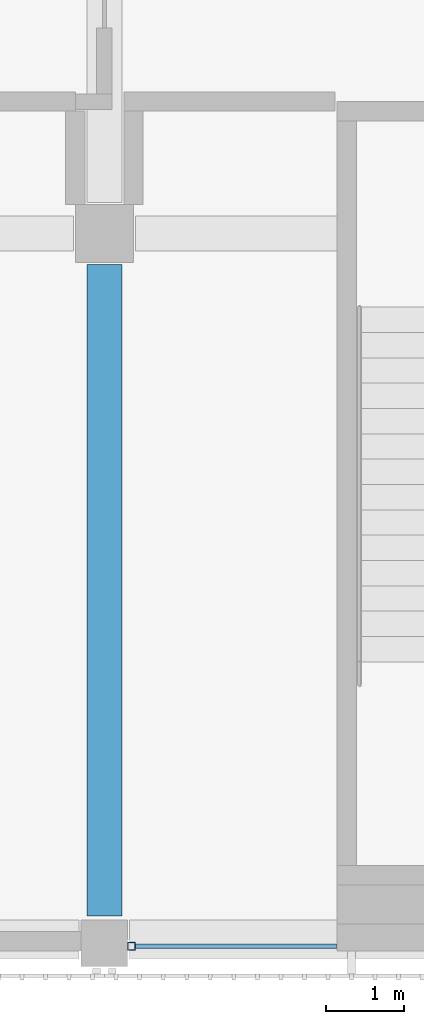
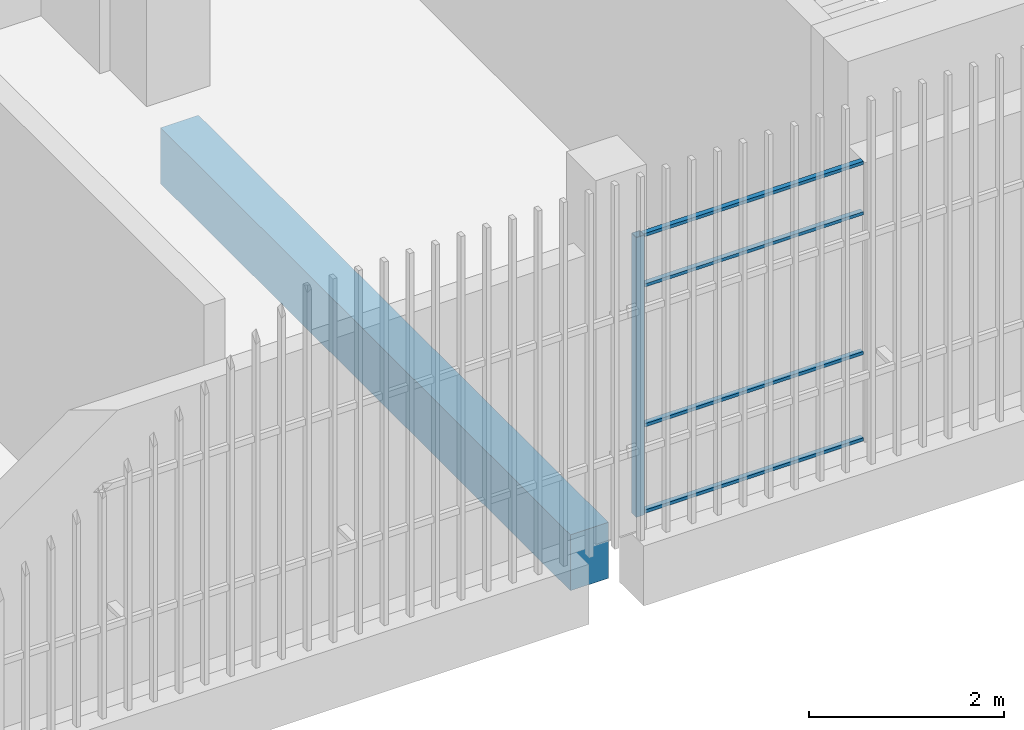
# One storey, part 19 of 104: 5 members, 1 beam, 1 element without a shape of its own.
"""IFC4 building model written with IfcOpenShell, lengths in metres."""

from ifc_helpers import new_model, si_unit, direction, frame, origin, origin_2d, place, context, subcontext, project, spatial, rectangle, hollow_rectangle, extrude, material, layer, layer_set, material_profile, profile_set, type_object, element, aggregate, save


model = new_model("IFC4")

# Units and contexts
model_context = context("Model", 3, precision=1e-05, world=origin(), true_north=direction((0.0, 1.0)))
body_context = subcontext(model_context, "Body", "Model", "MODEL_VIEW")
ifc_project = project(units=[si_unit("LENGTHUNIT", "METRE"), si_unit("AREAUNIT", "SQUARE_METRE"), si_unit("VOLUMEUNIT", "CUBIC_METRE"), si_unit("PLANEANGLEUNIT", "RADIAN"), si_unit("MASSUNIT", "GRAM", prefix="KILO")], contexts=[model_context])

# Site, building, storey
site_placement = place(None, origin())
site = spatial("IfcSite", under=ifc_project, at=site_placement, CompositionType="ELEMENT")
building_placement = place(site_placement, origin())
building = spatial("IfcBuilding", under=site, at=building_placement, Name="Shirokan Park Arena", CompositionType="ELEMENT")
storey_placement = place(building_placement, frame((0.0, 0.0, 10.919921875)))
storey = spatial("IfcBuildingStorey", under=building, at=storey_placement, Name="L02", CompositionType="ELEMENT", Elevation=10.919921875)

# Curtain wall, member
ifc_material_1 = material(Name="Steel and glass curtain wall", Category="steel")
ifc_layer = layer(ifc_material_1, 0.1201171875)
ifc_layer_set = layer_set([ifc_layer], Name="Steel and glass curtain wall 120 mm")
curtain_wall_type = type_object("IfcCurtainWallType", Name="Curtain wall corner block side bay 120", PredefinedType="NOTDEFINED", material=ifc_layer_set)
curtain_wall_placement = place(storey_placement, origin())
curtain_wall = element("IfcCurtainWall", 1, at=curtain_wall_placement, inside=storey, type_object=curtain_wall_type, Name="Curtain wall south bay 13 L02", PredefinedType="NOTDEFINED")
ifc_material_2 = material(Name="Steel S355", Category="steel")
ifc_material_profile_1 = material_profile(ifc_material_2, hollow_rectangle(XDim=0.10009765625, YDim=0.10009765625, WallThickness=0.006103515625, at=origin_2d()), Name="RHS 100x100x6")
ifc_profile_set_1 = profile_set([ifc_material_profile_1], Name="Steel S355")
member_type_1 = type_object("IfcMemberType", Name="Mullion RHS 100x100x6", PredefinedType="MULLION", material=ifc_profile_set_1)
member_1_placement = place(storey_placement, frame((109.550048828125, -0.090087890625, 0.0), z_axis=(0.0, 0.0, 1.0), x_axis=(0.0, 1.0, 0.0)))
member_1 = element("IfcMember", 2, at=member_1_placement, type_object=member_type_1, Name="CW3 mullion 1", PredefinedType="MULLION", context=body_context, shape_type="SweptSolid", body=[
    extrude(hollow_rectangle(XDim=0.10009765625, YDim=0.10009765625, WallThickness=0.006103515625, at=origin_2d()), origin(), (0.0, 0.0, 1.0), 3.5),
])

# Beam
ifc_material_3 = material(Name="Concrete C35", Category="concrete")
ifc_material_profile_2 = material_profile(ifc_material_3, rectangle(XDim=0.449951171875, YDim=0.699951171875, at=origin_2d()), Name="450x700")
ifc_profile_set_2 = profile_set([ifc_material_profile_2], Name="Concrete C35")
beam_type = type_object("IfcBeamType", Name="RC girder 450x700", PredefinedType="BEAM", material=ifc_profile_set_2)
beam_placement = place(storey_placement, frame((109.199951171875, 0.300048828125, -0.64990234375), z_axis=(0.0, 1.0, 0.0), x_axis=(-1.0, 0.0, 0.0)))
element("IfcBeam", 3, at=beam_placement, inside=storey, type_object=beam_type, Name="Girder 13A-13B L02", PredefinedType="BEAM", context=body_context, shape_type="SweptSolid", body=[
    extrude(rectangle(XDim=0.449951171875, YDim=0.699951171875, at=origin_2d()), origin(), (0.0, 0.0, 1.0), 8.39990234375),
])

# Member
ifc_material_profile_3 = material_profile(ifc_material_2, hollow_rectangle(XDim=0.06005859375, YDim=0.0400390625, WallThickness=0.00390625, at=origin_2d()), Name="RHS 60x40x4")
ifc_profile_set_3 = profile_set([ifc_material_profile_3], Name="Steel S355")
member_type_2 = type_object("IfcMemberType", Name="Transom RHS 60x40x4", PredefinedType="MULLION", material=ifc_profile_set_3)
member_2_placement = place(storey_placement, frame((109.60009765625, -0.090087890625, 0.02001953125), z_axis=(1.0, 0.0, 0.0), x_axis=(0.0, 1.0, 0.0)))
member_2 = element("IfcMember", 4, at=member_2_placement, type_object=member_type_2, Name="CW3 transom 1.1", PredefinedType="MULLION", context=body_context, shape_type="SweptSolid", body=[
    extrude(hollow_rectangle(XDim=0.06005859375, YDim=0.0400390625, WallThickness=0.00390625, at=origin_2d()), origin(), (0.0, 0.0, 1.0), 2.599853515625),
])

member_3_placement = place(storey_placement, frame((109.60009765625, -0.090087890625, 1.10009765625), z_axis=(1.0, 0.0, 0.0), x_axis=(0.0, 1.0, 0.0)))
member_3 = element("IfcMember", 5, at=member_3_placement, type_object=member_type_2, Name="CW3 transom 1.2", PredefinedType="MULLION", context=body_context, shape_type="SweptSolid", body=[
    extrude(hollow_rectangle(XDim=0.06005859375, YDim=0.0400390625, WallThickness=0.00390625, at=origin_2d()), origin(), (0.0, 0.0, 1.0), 2.599853515625),
])

member_4_placement = place(storey_placement, frame((109.60009765625, -0.090087890625, 2.85009765625), z_axis=(1.0, 0.0, 0.0), x_axis=(0.0, 1.0, 0.0)))
member_4 = element("IfcMember", 6, at=member_4_placement, type_object=member_type_2, Name="CW3 transom 1.3", PredefinedType="MULLION", context=body_context, shape_type="SweptSolid", body=[
    extrude(hollow_rectangle(XDim=0.06005859375, YDim=0.0400390625, WallThickness=0.00390625, at=origin_2d()), origin(), (0.0, 0.0, 1.0), 2.599853515625),
])

member_5_placement = place(storey_placement, frame((109.60009765625, -0.090087890625, 3.47998046875), z_axis=(1.0, 0.0, 0.0), x_axis=(0.0, 1.0, 0.0)))
member_5 = element("IfcMember", 7, at=member_5_placement, type_object=member_type_2, Name="CW3 transom 1.4", PredefinedType="MULLION", context=body_context, shape_type="SweptSolid", body=[
    extrude(hollow_rectangle(XDim=0.06005859375, YDim=0.0400390625, WallThickness=0.00390625, at=origin_2d()), origin(), (0.0, 0.0, 1.0), 2.599853515625),
])

aggregate(curtain_wall, [member_1, member_2, member_3, member_4, member_5])

save(model, "model.ifc")
